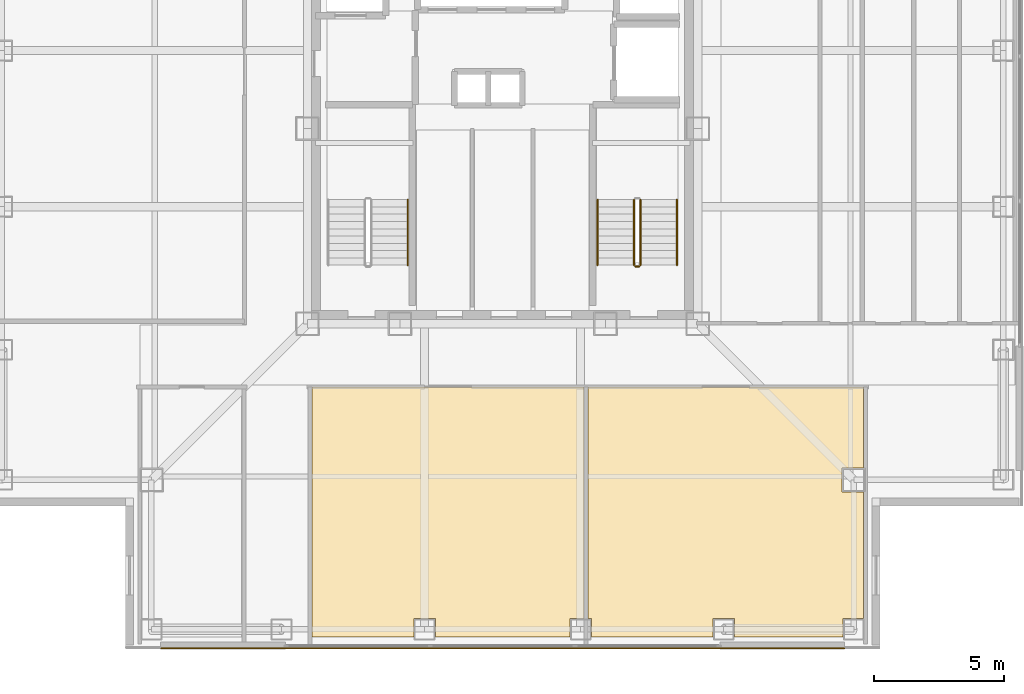
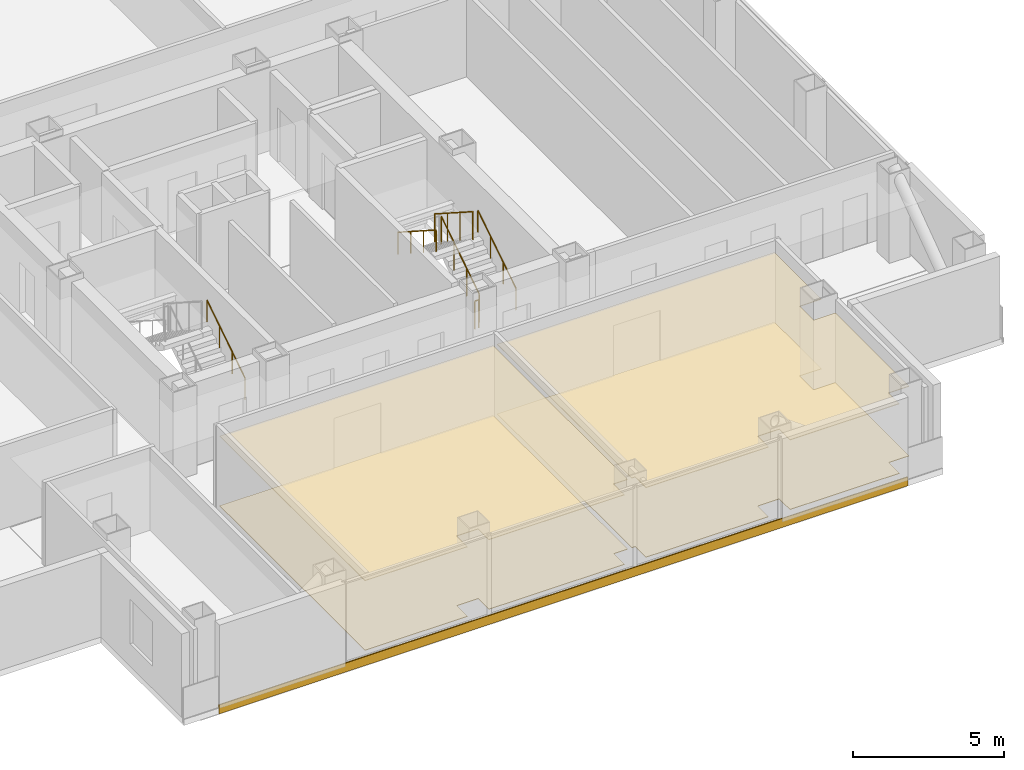
# One storey, part 13 of 17: 6 railings, 5 coverings.
"""IFC4 building model written with IfcOpenShell, lengths in metres."""

import ifcopenshell
import ifcopenshell.guid

model = None  # the IFC model being written
_history = None  # IfcOwnerHistory: only IFC2X3 demands one
_inside = {}  # id of a spatial element -> (the spatial element, [elements in it])
_under = {}  # id of a project, library or spatial element -> (it, [spatial elements below it])
_declared = {}  # id of a project -> (the project, [libraries it declares])
_typed = {}  # id of a type object -> (the type object, [elements of that type])
_made_of = {}  # id of a material, layer set ... -> (it, [elements and type objects made of it])


def new_model(schema):
    """Start an empty IFC model of exactly this schema.

    Asked for "IFC4X3", IfcOpenShell would pick the latest addendum, in which some entities
    have other attributes; the version numbers below select the first issue.
    IFC2X3 requires an IfcOwnerHistory on every rooted entity: one is made here for all.
    """
    global model, _history
    if schema == "IFC4X3":
        model = ifcopenshell.file(schema_version=(4, 3, 0, 0))
    else:
        model = ifcopenshell.file(schema=schema)
    _inside.clear()
    _under.clear()
    _declared.clear()
    _typed.clear()
    _made_of.clear()
    _history = None
    if model.schema == "IFC2X3":
        org = make("IfcOrganization", Name="unknown")
        user = make(
            "IfcPersonAndOrganization",
            ThePerson=make("IfcPerson", FamilyName="unknown"),
            TheOrganization=org,
        )
        app = make(
            "IfcApplication",
            ApplicationDeveloper=org,
            Version="unknown",
            ApplicationFullName="unknown",
            ApplicationIdentifier="unknown",
        )
        _history = make(
            "IfcOwnerHistory",
            OwningUser=user,
            OwningApplication=app,
            ChangeAction="ADDED",
            CreationDate=0,
        )
    return model


def make(cls, **values):
    """One entity of the class cls with the attributes given. An attribute that is None is left unset."""
    return model.create_entity(
        cls, **{name: value for name, value in values.items() if value is not None}
    )


def rooted(cls, **values):
    """An entity with a GlobalId (a new one), such as an element, a storey or a relation."""
    return make(cls, GlobalId=ifcopenshell.guid.new(), OwnerHistory=_history, **values)


def si_unit(unit_type, name, prefix=None):
    """IfcSIUnit, for example si_unit("LENGTHUNIT", "METRE", prefix="MILLI")."""
    return make("IfcSIUnit", UnitType=unit_type, Prefix=prefix, Name=name)


def assignment(units):
    """IfcUnitAssignment: the units of a project."""
    return None if units is None else make("IfcUnitAssignment", Units=units)


def point(xyz):
    """IfcCartesianPoint."""
    return None if xyz is None else make("IfcCartesianPoint", Coordinates=xyz)


def direction(xyz):
    """IfcDirection."""
    return None if xyz is None else make("IfcDirection", DirectionRatios=xyz)


def frame(location, z_axis=None, x_axis=None):
    """IfcAxis2Placement3D, a coordinate frame: its origin and axes. An axis left out is left unset."""
    return make(
        "IfcAxis2Placement3D",
        Location=point(location),
        Axis=direction(z_axis),
        RefDirection=direction(x_axis),
    )


def frame_2d(location, x_axis=None):
    """IfcAxis2Placement2D, a coordinate frame in the plane: its origin and x axis."""
    return make(
        "IfcAxis2Placement2D", Location=point(location), RefDirection=direction(x_axis)
    )


def origin():
    """The frame at (0, 0, 0) with its axes left unset."""
    return frame((0.0, 0.0, 0.0))


def origin_2d():
    """The frame at (0, 0) in the plane with its x axis left unset."""
    return frame_2d((0.0, 0.0))


def place(relative_to, where):
    """IfcLocalPlacement: puts the frame where relative to a parent placement (None: the world)."""
    return make(
        "IfcLocalPlacement", PlacementRelTo=relative_to, RelativePlacement=where
    )


def context(
    kind, dimensions, precision=None, world=None, true_north=None, identifier=None
):
    """IfcGeometricRepresentationContext, for example the 3D "Model" context."""
    return make(
        "IfcGeometricRepresentationContext",
        ContextIdentifier=identifier,
        ContextType=kind,
        CoordinateSpaceDimension=dimensions,
        Precision=precision,
        WorldCoordinateSystem=world,
        TrueNorth=true_north,
    )


def subcontext(parent, identifier, kind, view, scale=None):
    """IfcGeometricRepresentationSubContext, for example "Body" below "Model"."""
    return make(
        "IfcGeometricRepresentationSubContext",
        ContextIdentifier=identifier,
        ContextType=kind,
        ParentContext=parent,
        TargetScale=scale,
        TargetView=view,
    )


def project(units=None, contexts=None):
    """IfcProject with its units and contexts."""
    return rooted(
        "IfcProject",
        Name="project",
        RepresentationContexts=contexts,
        UnitsInContext=assignment(units),
    )


def spatial(cls, under=None, at=None, **own):
    """A site, building, storey or space (cls), placed at a placement, below another one or the project."""
    s = rooted(cls, ObjectPlacement=at, **own)
    if under is not None:
        _under.setdefault(under.id(), (under, []))[1].append(s)
    return s


def polyline(points):
    """IfcPolyline through the points."""
    return make("IfcPolyline", Points=[point(p) for p in points])


def profile(cls, at=None, kind="AREA", **sizes):
    """A parametric profile (cls). Its sizes go by their IFC names, for example OverallWidth=200.0."""
    return make(cls, ProfileType=kind, Position=at, **sizes)


def rectangle(**sizes):
    """IfcRectangleProfileDef."""
    return profile("IfcRectangleProfileDef", **sizes)


def circle(**sizes):
    """IfcCircleProfileDef."""
    return profile("IfcCircleProfileDef", **sizes)


def outline(outer, holes=None, kind="AREA"):
    """IfcArbitraryClosedProfileDef: a profile drawn as a closed curve; with holes, ...WithVoids."""
    if holes is None:
        return make("IfcArbitraryClosedProfileDef", ProfileType=kind, OuterCurve=outer)
    return make(
        "IfcArbitraryProfileDefWithVoids",
        ProfileType=kind,
        OuterCurve=outer,
        InnerCurves=holes,
    )


def extrude(swept, where, along, depth):
    """IfcExtrudedAreaSolid: the profile swept, set in the frame where, extruded along a direction by depth."""
    return make(
        "IfcExtrudedAreaSolid",
        SweptArea=swept,
        Position=where,
        ExtrudedDirection=direction(along),
        Depth=depth,
    )


def shape(context_of_items, identifier, shape_type, items):
    """IfcShapeRepresentation: the items that make up one representation, for example the "Body"."""
    return make(
        "IfcShapeRepresentation",
        ContextOfItems=context_of_items,
        RepresentationIdentifier=identifier,
        RepresentationType=shape_type,
        Items=items,
    )


def material(Name=None, Category=None):
    """IfcMaterial."""
    return make("IfcMaterial", Name=Name, Category=Category)


def layer(
    of_material, thickness, ventilated=None, Name=None, Category=None, Priority=None
):
    """IfcMaterialLayer: one layer of a wall or slab, of a material (None: an air gap)."""
    return make(
        "IfcMaterialLayer",
        Material=of_material,
        LayerThickness=thickness,
        IsVentilated=ventilated,
        Name=Name,
        Category=Category,
        Priority=Priority,
    )


def layer_set(layers, Name=None):
    """IfcMaterialLayerSet."""
    return make("IfcMaterialLayerSet", MaterialLayers=layers, LayerSetName=Name)


def made_of(thing, what):
    """Note that an element or type object is made of a material, layer set ...; save() writes the relation."""
    if what is not None:
        _made_of.setdefault(what.id(), (what, []))[1].append(thing)
    return thing


def type_object(cls, material=None, **own):
    """A type object (cls), such as IfcWallType, which elements share."""
    return made_of(rooted(cls, **own), material)


def element(
    cls,
    number,
    at=None,
    inside=None,
    cuts=None,
    type_object=None,
    material=None,
    context=None,
    identifier="Body",
    shape_type=None,
    held_by="IfcProductDefinitionShape",
    body=None,
    shapes=None,
    **own,
):
    """One element of the class cls, such as IfcWall. Its Tag is "e" and its number.

    at: its placement. inside: the storey or other place that contains it. cuts: it is an
    opening in that element (IfcRelVoidsElement). A single representation is given by context,
    identifier, shape_type and body (its items); several are given by shapes. held_by: the class
    of the entity that holds the representations. save() writes the other relations.
    """
    e = rooted(cls, Tag="e%d" % number, ObjectPlacement=at, **own)
    if body is not None:
        shapes = [shape(context, identifier, shape_type, body)]
    if shapes is not None:
        e.Representation = make(held_by, Representations=shapes)
    if inside is not None:
        _inside.setdefault(inside.id(), (inside, []))[1].append(e)
    if cuts is not None:
        rooted(
            "IfcRelVoidsElement", RelatingBuildingElement=cuts, RelatedOpeningElement=e
        )
    if type_object is not None:
        _typed.setdefault(type_object.id(), (type_object, []))[1].append(e)
    return made_of(e, material)


def aggregate(whole, parts):
    """IfcRelAggregates: a whole, such as a stair, and the parts it consists of."""
    return rooted("IfcRelAggregates", RelatingObject=whole, RelatedObjects=parts)


def save(model, path):
    """Write the relations noted so far, then the file.

    IfcRelAggregates (storeys below a building ...), IfcRelContainedInSpatialStructure (elements
    in a storey), IfcRelDefinesByType, IfcRelAssociatesMaterial and IfcRelDeclares: one each for
    every whole, place, type object, material and project.
    """
    for whole, parts in _under.values():
        aggregate(whole, parts)
    for where, things in _inside.values():
        rooted(
            "IfcRelContainedInSpatialStructure",
            RelatedElements=things,
            RelatingStructure=where,
        )
    for kind, things in _typed.values():
        rooted("IfcRelDefinesByType", RelatedObjects=things, RelatingType=kind)
    for what, things in _made_of.values():
        rooted("IfcRelAssociatesMaterial", RelatedObjects=things, RelatingMaterial=what)
    for by, libraries in _declared.values():
        rooted("IfcRelDeclares", RelatingContext=by, RelatedDefinitions=libraries)
    model.write(path)


model = new_model("IFC4")

# Units and contexts
model_context = context("Model", 3, precision=1e-05, world=origin(), true_north=direction((0.0, 1.0)))
body_context = subcontext(model_context, "Body", "Model", "MODEL_VIEW")
ifc_project = project(units=[si_unit("LENGTHUNIT", "METRE"), si_unit("AREAUNIT", "SQUARE_METRE"), si_unit("VOLUMEUNIT", "CUBIC_METRE"), si_unit("PLANEANGLEUNIT", "RADIAN"), si_unit("MASSUNIT", "GRAM", prefix="KILO")], contexts=[model_context])

# Site, building, storey
site_placement = place(None, origin())
site = spatial("IfcSite", under=ifc_project, at=site_placement, CompositionType="ELEMENT")
building_placement = place(site_placement, origin())
building = spatial("IfcBuilding", under=site, at=building_placement, Name="Trevonay Congress Spire", CompositionType="ELEMENT")
storey_placement = place(building_placement, frame((0.0, 0.0, 191.39990234375)))
storey = spatial("IfcBuildingStorey", under=building, at=storey_placement, Name="L49", CompositionType="ELEMENT", Elevation=191.39990234375)

# Coverings
ifc_material_1 = material(Name="Acoustic Mineral Fibre Board", Category="gypsum")
ifc_layer_1 = layer(ifc_material_1, 0.02490234375, Name="Acoustic Mineral Fibre Board")
ifc_layer_set_1 = layer_set([ifc_layer_1], Name="Acoustic Mineral Fibre Board")
covering_type_1 = type_object("IfcCoveringType", Name="COV-CEIL-ACOUSTIC", PredefinedType="CEILING", material=ifc_layer_set_1)
covering_1_placement = place(storey_placement, frame((0.0, 0.0, 2.81005859375)))
element("IfcCovering", 1, at=covering_1_placement, inside=storey, type_object=covering_type_1, Name="L49 Corporate Main Production Kitchen acoustic suspended ceiling", PredefinedType="CEILING", context=body_context, shape_type="SweptSolid", body=[
    extrude(outline(polyline([(-7.320068359375, -19.550048828125), (-7.320068359375, -9.929931640625), (3.1201171875, -9.929931640625), (3.1201171875, -18.840087890625), (2.590087890625, -18.840087890625), (2.590087890625, -19.550048828125), (-2.590087890625, -19.550048828125), (-2.590087890625, -18.840087890625), (-3.409912109375, -18.840087890625), (-3.409912109375, -19.550048828125), (-7.320068359375, -19.550048828125)])), origin(), (0.0, 0.0, 1.0), 0.025146484375),
])
covering_2_placement = place(storey_placement, frame((0.0, 0.0, 2.81005859375)))
element("IfcCovering", 2, at=covering_2_placement, inside=storey, type_object=covering_type_1, Name="L49 Pastry and Garde-Manger Kitchen acoustic suspended ceiling", PredefinedType="CEILING", context=body_context, shape_type="SweptSolid", body=[
    extrude(outline(polyline([(3.409912109375, -19.550048828125), (3.409912109375, -18.840087890625), (3.280029296875, -18.840087890625), (3.280029296875, -9.929931640625), (13.8701171875, -9.929931640625), (13.8701171875, -13.0400390625), (13.0400390625, -13.0400390625), (13.0400390625, -13.9599609375), (13.8701171875, -13.9599609375), (13.8701171875, -18.840087890625), (13.090087890625, -18.840087890625), (13.090087890625, -19.550048828125), (8.909912109375, -19.550048828125), (8.909912109375, -18.840087890625), (8.090087890625, -18.840087890625), (8.090087890625, -19.550048828125), (3.409912109375, -19.550048828125)])), origin(), (0.0, 0.0, 1.0), 0.025146484375),
])
ifc_material_2 = material(Name="Polished Granite Floor Tile", Category="masonry")
ifc_layer_2 = layer(ifc_material_2, 0.02001953125, Name="Polished Granite Floor Tile")
ifc_layer_set_2 = layer_set([ifc_layer_2], Name="Polished Granite Floor Tile")
covering_type_2 = type_object("IfcCoveringType", Name="COV-FLOOR-STONE", PredefinedType="FLOORING", material=ifc_layer_set_2)
covering_3_placement = place(storey_placement, origin())
element("IfcCovering", 3, at=covering_3_placement, inside=storey, type_object=covering_type_2, Name="L49 Corporate Main Production Kitchen floor finish", PredefinedType="FLOORING", context=body_context, shape_type="SweptSolid", body=[
    extrude(outline(polyline([(-7.320068359375, -19.550048828125), (-7.320068359375, -9.929931640625), (3.1201171875, -9.929931640625), (3.1201171875, -18.840087890625), (2.590087890625, -18.840087890625), (2.590087890625, -19.550048828125), (-2.590087890625, -19.550048828125), (-2.590087890625, -18.840087890625), (-3.409912109375, -18.840087890625), (-3.409912109375, -19.550048828125), (-7.320068359375, -19.550048828125)])), origin(), (0.0, 0.0, 1.0), 0.02001953125),
])
covering_4_placement = place(storey_placement, origin())
element("IfcCovering", 4, at=covering_4_placement, inside=storey, type_object=covering_type_2, Name="L49 Pastry and Garde-Manger Kitchen floor finish", PredefinedType="FLOORING", context=body_context, shape_type="SweptSolid", body=[
    extrude(outline(polyline([(3.409912109375, -19.550048828125), (3.409912109375, -18.840087890625), (3.280029296875, -18.840087890625), (3.280029296875, -9.929931640625), (13.8701171875, -9.929931640625), (13.8701171875, -13.0400390625), (13.0400390625, -13.0400390625), (13.0400390625, -13.9599609375), (13.8701171875, -13.9599609375), (13.8701171875, -18.840087890625), (13.090087890625, -18.840087890625), (13.090087890625, -19.550048828125), (8.909912109375, -19.550048828125), (8.909912109375, -18.840087890625), (8.090087890625, -18.840087890625), (8.090087890625, -19.550048828125), (3.409912109375, -19.550048828125)])), origin(), (0.0, 0.0, 1.0), 0.02001953125),
])
ifc_material_3 = material(Name="Pale Anodised Aluminium EN AW-6063-T6", Category="aluminium")
ifc_layer_3 = layer(ifc_material_3, 0.0400390625, Name="Pale Anodised Aluminium EN AW-6063-T6")
ifc_layer_set_3 = layer_set([ifc_layer_3], Name="Pale Anodised Aluminium EN AW-6063-T6")
covering_type_3 = type_object("IfcCoveringType", Name="COV-SPANDREL-PALE-METAL", PredefinedType="CLADDING", material=ifc_layer_set_3)
covering_5_placement = place(storey_placement, frame((-13.14990234375, -19.97998046875, -0.239990234375), z_axis=(0.0, 0.0, 1.0), x_axis=(1.0, 0.0, 0.0)))
element("IfcCovering", 5, at=covering_5_placement, inside=storey, type_object=covering_type_3, Name="L49 S pale-metal slab-edge spandrel cladding", PredefinedType="CLADDING", context=body_context, shape_type="SweptSolid", body=[
    extrude(rectangle(XDim=26.2998046875, YDim=0.0400390625, at=frame_2d((13.14990234375, 0.0))), origin(), (0.0, 0.0, 1.0), 0.360107421875),
])

# Railings
railing_type_1 = type_object("IfcRailingType", Name="RAL-STAIR-GUARD-110", PredefinedType="GUARDRAIL", material=ifc_material_3)
railing_1_placement = place(storey_placement, frame((5.300048828125, -5.25, 0.18017578125)))
element("IfcRailing", 6, at=railing_1_placement, inside=storey, type_object=railing_type_1, Name="L49 ST-2 stair guard 1", PredefinedType="GUARDRAIL", context=body_context, shape_type="SweptSolid", body=[
    extrude(circle(Radius=0.02392578125, at=origin_2d()), frame((0.0, 0.0, 1.1259765625), z_axis=(0.0, 0.841199657755, 0.540724639528), x_axis=(-1.0, 0.0, 0.0)), (0.0, 0.0, 1.0), 2.995849609375),
    extrude(circle(Radius=0.02099609375, at=origin_2d()), origin(), (0.0, 0.0, 1.0), 1.101806640625),
    extrude(circle(Radius=0.02099609375, at=origin_2d()), frame((0.0, 0.840087890625, 0.5400390625)), (0.0, 0.0, 1.0), 1.101806640625),
    extrude(circle(Radius=0.02099609375, at=origin_2d()), frame((0.0, 1.679931640625, 1.079833984375)), (0.0, 0.0, 1.0), 1.101806640625),
    extrude(circle(Radius=0.02099609375, at=origin_2d()), frame((0.0, 2.52001953125, 1.619873046875)), (0.0, 0.0, 1.0), 1.101806640625),
])
railing_2_placement = place(storey_placement, frame((5.050048828125, -2.72998046875, 1.97998046875)))
element("IfcRailing", 7, at=railing_2_placement, inside=storey, type_object=railing_type_1, Name="L49 ST-2 stair guard 3", PredefinedType="GUARDRAIL", context=body_context, shape_type="SweptSolid", body=[
    extrude(circle(Radius=0.02392578125, at=origin_2d()), frame((0.0, 0.0, 1.1259765625), z_axis=(0.0, -0.841162588446, 0.540782303519), x_axis=(1.0, 0.0, 0.0)), (0.0, 0.0, 1.0), 2.995849609375),
    extrude(circle(Radius=0.02099609375, at=origin_2d()), origin(), (0.0, 0.0, 1.0), 1.101806640625),
    extrude(circle(Radius=0.02099609375, at=origin_2d()), frame((0.0, -0.840087890625, 0.5400390625)), (0.0, 0.0, 1.0), 1.101806640625),
    extrude(circle(Radius=0.02099609375, at=origin_2d()), frame((0.0, -1.679931640625, 1.080078125)), (0.0, 0.0, 1.0), 1.101806640625),
    extrude(circle(Radius=0.02099609375, at=origin_2d()), frame((0.0, -2.52001953125, 1.6201171875)), (0.0, 0.0, 1.0), 1.101806640625),
])
railing_3_placement = place(storey_placement, frame((5.25, -5.300048828125, 0.0)))
element("IfcRailing", 8, at=railing_3_placement, inside=storey, type_object=railing_type_1, Name="L49 ST-2 stair guard 4", PredefinedType="GUARDRAIL", context=body_context, shape_type="SweptSolid", body=[
    extrude(circle(Radius=0.02392578125, at=origin_2d()), frame((0.0, 0.0, 1.1259765625), z_axis=(-1.0, 0.0, 0.0), x_axis=(0.0, -1.0, 0.0)), (0.0, 0.0, 1.0), 0.14990234375),
    extrude(circle(Radius=0.02099609375, at=origin_2d()), origin(), (0.0, 0.0, 1.0), 1.101806640625),
    extrude(circle(Radius=0.02099609375, at=origin_2d()), frame((-0.14990234375, 0.0, 0.0)), (0.0, 0.0, 1.0), 1.101806640625),
])
railing_type_2 = type_object("IfcRailingType", Name="RAL-STAIR-HANDRAIL", PredefinedType="HANDRAIL", material=ifc_material_3)
for number, where, name in (
    (9, (-3.64990234375, -5.25, 0.18017578125), "L49 ST-1 stair handrail 1"),
    (10, (6.699951171875, -5.25, 0.18017578125), "L49 ST-2 stair handrail 1"),
):
    element("IfcRailing", number, at=place(storey_placement, frame(where)), inside=storey, type_object=railing_type_2, Name=name, PredefinedType="HANDRAIL", context=body_context, shape_type="SweptSolid", body=[
        extrude(circle(Radius=0.02392578125, at=origin_2d()), frame((0.0, 0.0, 0.8759765625), z_axis=(0.0, 0.841199657755, 0.540724639528), x_axis=(-1.0, 0.0, 0.0)), (0.0, 0.0, 1.0), 2.995849609375),
        extrude(circle(Radius=0.02099609375, at=origin_2d()), origin(), (0.0, 0.0, 1.0), 0.851806640625),
        extrude(circle(Radius=0.02099609375, at=origin_2d()), frame((0.0, 0.840087890625, 0.5400390625)), (0.0, 0.0, 1.0), 0.851806640625),
        extrude(circle(Radius=0.02099609375, at=origin_2d()), frame((0.0, 1.679931640625, 1.079833984375)), (0.0, 0.0, 1.0), 0.851806640625),
        extrude(circle(Radius=0.02099609375, at=origin_2d()), frame((0.0, 2.52001953125, 1.619873046875)), (0.0, 0.0, 1.0), 0.851806640625),
    ])
railing_4_placement = place(storey_placement, frame((3.64990234375, -2.72998046875, 1.97998046875)))
element("IfcRailing", 11, at=railing_4_placement, inside=storey, type_object=railing_type_2, Name="L49 ST-2 stair handrail 2", PredefinedType="HANDRAIL", context=body_context, shape_type="SweptSolid", body=[
    extrude(circle(Radius=0.02392578125, at=origin_2d()), frame((0.0, 0.0, 0.8759765625), z_axis=(0.0, -0.841162588446, 0.540782303519), x_axis=(1.0, 0.0, 0.0)), (0.0, 0.0, 1.0), 2.995849609375),
    extrude(circle(Radius=0.02099609375, at=origin_2d()), origin(), (0.0, 0.0, 1.0), 0.851806640625),
    extrude(circle(Radius=0.02099609375, at=origin_2d()), frame((0.0, -0.840087890625, 0.5400390625)), (0.0, 0.0, 1.0), 0.851806640625),
    extrude(circle(Radius=0.02099609375, at=origin_2d()), frame((0.0, -1.679931640625, 1.080078125)), (0.0, 0.0, 1.0), 0.851806640625),
    extrude(circle(Radius=0.02099609375, at=origin_2d()), frame((0.0, -2.52001953125, 1.6201171875)), (0.0, 0.0, 1.0), 0.851806640625),
])

save(model, "model.ifc")
